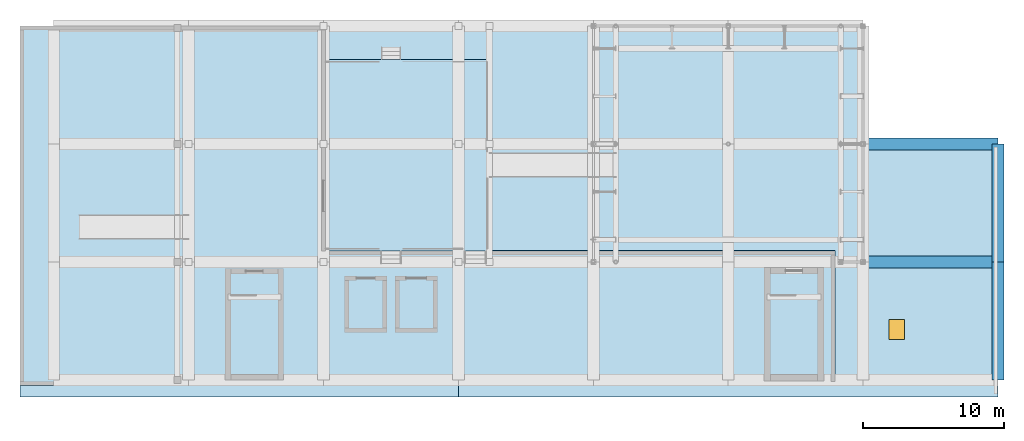
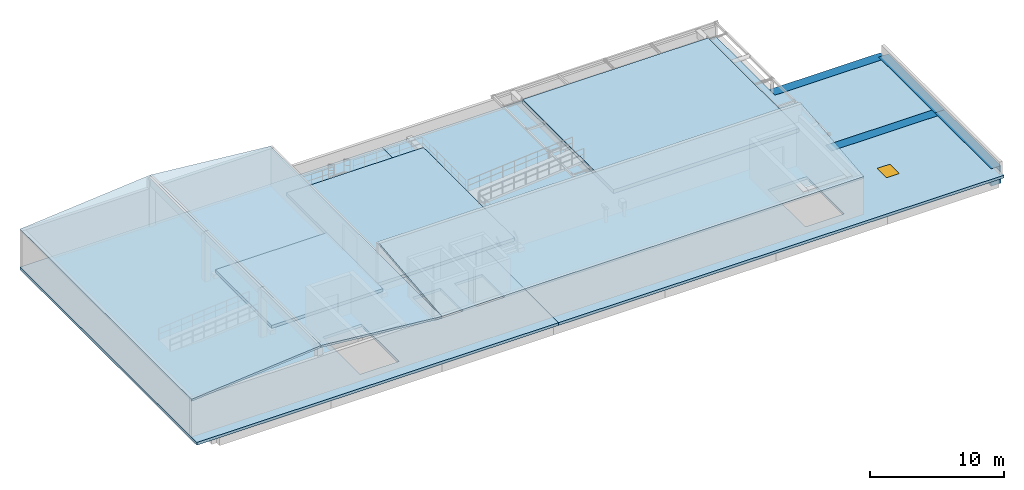
# One storey, part 4 of 8: 8 slabs, 4 beams, 1 door, 1 opening, 1 element without a shape of its own.
"""IFC4 building model written with IfcOpenShell, lengths in metres."""

from ifc_helpers import new_model, si_unit, direction, frame, origin, origin_2d, place, context, subcontext, project, spatial, polyline, rectangle, outline, extrude, material, layer, layer_set, material_profile, profile_set, type_object, element, fill, aggregate, save


model = new_model("IFC4")

# Units and contexts
model_context = context("Model", 3, precision=1e-05, world=origin(), true_north=direction((0.0, 1.0)))
body_context = subcontext(model_context, "Body", "Model", "MODEL_VIEW")
ifc_project = project(units=[si_unit("LENGTHUNIT", "METRE"), si_unit("AREAUNIT", "SQUARE_METRE"), si_unit("VOLUMEUNIT", "CUBIC_METRE"), si_unit("PLANEANGLEUNIT", "RADIAN"), si_unit("MASSUNIT", "GRAM", prefix="KILO")], contexts=[model_context])

# Site, building, storey
site_placement = place(None, origin())
site = spatial("IfcSite", under=ifc_project, at=site_placement, CompositionType="ELEMENT")
building_placement = place(site_placement, origin())
building = spatial("IfcBuilding", under=site, at=building_placement, Name="Oolite Switchyard Hospital", CompositionType="ELEMENT")
storey_placement = place(building_placement, frame((0.0, 0.0, 34.60009765625)))
storey = spatial("IfcBuildingStorey", under=building, at=storey_placement, Name="RF", CompositionType="ELEMENT", Elevation=34.60009765625)

# Beams
ifc_material_1 = material(Name="Concrete C40/50", Category="concrete")
ifc_material_profile = material_profile(ifc_material_1, rectangle(XDim=0.85009765625, YDim=1.60009765625, at=origin_2d()), Name="RCT850X1600")
ifc_profile_set = profile_set([ifc_material_profile], Name="Concrete C40/50")
beam_type = type_object("IfcBeamType", Name="BM-TR850X1600", PredefinedType="BEAM", material=ifc_profile_set)
for number, where, z_axis, x_axis, name in (
    (1, (201.60009765625, 117.60009765625, -0.800048828125), (1.0, 0.0, 0.0), (0.0, 1.0, 0.0), "RF X-Girder 3953"),
    (2, (201.60009765625, 126.0, -0.800048828125), (1.0, 0.0, 0.0), (0.0, 1.0, 0.0), "RF X-Girder 3960"),
):
    element("IfcBeam", number, at=place(storey_placement, frame(where, z_axis=z_axis, x_axis=x_axis)), inside=storey, type_object=beam_type, Name=name, PredefinedType="BEAM", context=body_context, shape_type="SweptSolid", body=[
        extrude(rectangle(XDim=0.85009765625, YDim=1.60009765625, at=origin_2d()), origin(), (0.0, 0.0, 1.0), 9.599853515625),
    ])
beam_1_placement = place(storey_placement, frame((211.199951171875, 109.199951171875, -0.800048828125), z_axis=(0.0, 1.0, 0.0), x_axis=(-1.0, 0.0, 0.0)))
element("IfcBeam", 3, at=beam_1_placement, inside=storey, type_object=beam_type, Name="RF Y-Girder 3988", PredefinedType="BEAM", context=body_context, shape_type="SweptSolid", body=[
    extrude(rectangle(XDim=0.85009765625, YDim=1.60009765625, at=origin_2d()), origin(), (0.0, 0.0, 1.0), 8.400146484375),
])
beam_2_placement = place(storey_placement, frame((211.199951171875, 117.60009765625, -0.800048828125), z_axis=(0.0, 1.0, 0.0), x_axis=(-1.0, 0.0, 0.0)))
element("IfcBeam", 4, at=beam_2_placement, inside=storey, type_object=beam_type, Name="RF Y-Girder 3989", PredefinedType="BEAM", context=body_context, shape_type="SweptSolid", body=[
    extrude(rectangle(XDim=0.85009765625, YDim=1.60009765625, at=origin_2d()), origin(), (0.0, 0.0, 1.0), 8.39990234375),
])

# Roof, slab
roof_type = type_object("IfcRoofType", Name="ROOF-FLAT", PredefinedType="FLAT_ROOF", material=ifc_material_1)
roof_placement = place(storey_placement, origin())
roof = element("IfcRoof", 5, at=roof_placement, inside=storey, type_object=roof_type, Name="RF Flat Cool Roof Assembly", PredefinedType="FLAT_ROOF")
ifc_layer_1 = layer(ifc_material_1, 0.280029296875)
ifc_layer_set_1 = layer_set([ifc_layer_1], Name="SLB-APRON-280")
slab_type_1 = type_object("IfcSlabType", Name="SLB-APRON-280", PredefinedType="ROOF", material=ifc_layer_set_1)
slab_1_placement = place(storey_placement, frame((0.0, 0.0, 0.369873046875)))
slab_1 = element("IfcSlab", 6, at=slab_1_placement, type_object=slab_type_1, Name="RF Helipad Staging Apron Slab", PredefinedType="ROOF", context=body_context, shape_type="SweptSolid", body=[
    extrude(outline(polyline([(163.199951171875, 118.39990234375), (175.0, 118.39990234375), (175.0, 132.0), (163.199951171875, 132.0), (163.199951171875, 118.39990234375)])), origin(), (0.0, 0.0, 1.0), 0.280029296875),
])

# Slab
slab_2_placement = place(storey_placement, frame((0.0, 0.0, 0.369873046875)))
element("IfcSlab", 7, at=slab_2_placement, inside=storey, type_object=slab_type_1, Name="RF Trauma Vestibule Raised Platform Slab", PredefinedType="ROOF", context=body_context, shape_type="SweptSolid", body=[
    extrude(outline(polyline([(153.60009765625, 117.60009765625), (163.199951171875, 117.60009765625), (163.199951171875, 126.0), (153.60009765625, 126.0), (153.60009765625, 117.60009765625)])), origin(), (0.0, 0.0, 1.0), 0.280029296875),
])

ifc_layer_2 = layer(ifc_material_1, 0.199951171875)
ifc_layer_set_2 = layer_set([ifc_layer_2], Name="SLB-FOLD-200")
slab_type_2 = type_object("IfcSlabType", Name="SLB-FOLD-200", PredefinedType="ROOF", material=ifc_layer_set_2)
slab_3_placement = place(storey_placement, frame((141.60009765625, 108.800048828125, 3.449951171875), z_axis=(-0.088932322622, 0.0, 0.996037670971), x_axis=(0.996037670971, 0.0, 0.088932322622)))
slab_3 = element("IfcSlab", 8, at=slab_3_placement, type_object=slab_type_2, Name="RF Headhouse HH1 West Gable Roof Shell", PredefinedType="ROOF", context=body_context, shape_type="SweptSolid", body=[
    extrude(outline(polyline([(0.0, 0.0), (11.244505602843738, 0.0), (11.244505602843738, 25.599853515625007), (0.0, 25.599853515625007), (0.0, 0.0)])), origin(), (0.0, 0.0, -1.0), 0.199951171875),
])

slab_4_placement = place(storey_placement, frame((152.800048828125, 108.800048828125, 4.449951171875), z_axis=(0.095713297161, 0.0, 0.995408943473), x_axis=(0.995408943473, 0.0, -0.095713297161)))
slab_4 = element("IfcSlab", 9, at=slab_4_placement, type_object=slab_type_2, Name="RF Headhouse HH1 East Gable Roof Shell", PredefinedType="ROOF", context=body_context, shape_type="SweptSolid", body=[
    extrude(outline(polyline([(0.0, 0.0), (10.447869101378364, 0.0), (10.447869101378364, 25.599853515625), (0.0, 25.599853515625), (0.0, 0.0)])), origin(), (0.0, 0.0, -1.0), 0.199951171875),
])

slab_5_placement = place(storey_placement, frame((163.199951171875, 108.800048828125, 3.449951171875), z_axis=(0.0, -0.103607648217, 0.994618245977), x_axis=(1.0, 0.0, 0.0)))
slab_5 = element("IfcSlab", 10, at=slab_5_placement, type_object=slab_type_2, Name="RF Headhouse HH2 Sloped Roof Shell", PredefinedType="ROOF", context=body_context, shape_type="SweptSolid", body=[
    extrude(outline(polyline([(0.0, 0.0), (36.400146484375, 0.0), (36.400146484375, 9.651797113566865), (0.0, 9.651797113566865), (0.0, 0.0)])), origin(), (0.0, 0.0, -1.0), 0.199951171875),
])

ifc_layer_3 = layer(ifc_material_1, 0.340087890625)
ifc_layer_set_3 = layer_set([ifc_layer_3], Name="SLB-HELI-340")
slab_type_3 = type_object("IfcSlabType", Name="SLB-HELI-340", PredefinedType="ROOF", material=ifc_layer_set_3)
slab_6_placement = place(storey_placement, frame((0.0, 0.0, 1.059814453125)))
slab_6 = element("IfcSlab", 11, at=slab_6_placement, type_object=slab_type_3, Name="RF Helipad TLOF Impact Pad Slab", PredefinedType="ROOF", context=body_context, shape_type="SweptSolid", body=[
    extrude(outline(polyline([(184.0, 119.199951171875), (200.0, 119.199951171875), (200.0, 132.800048828125), (184.0, 132.800048828125), (184.0, 119.199951171875)])), origin(), (0.0, 0.0, 1.0), 0.340087890625),
])

ifc_layer_4 = layer(ifc_material_1, 0.25)
ifc_layer_set_4 = layer_set([ifc_layer_4], Name="SLB-ROOF-250")
slab_type_4 = type_object("IfcSlabType", Name="SLB-ROOF-250", PredefinedType="ROOF", material=ifc_layer_set_4)
slab_7_placement = place(storey_placement, frame((0.0, 0.0, -0.25)))
slab_7 = element("IfcSlab", 12, at=slab_7_placement, type_object=slab_type_4, Name="RF V5E Slab V5ER1", PredefinedType="ROOF", context=body_context, shape_type="SweptSolid", body=[
    extrude(outline(polyline([(141.60009765625, 108.0), (172.800048828125, 108.0), (172.800048828125, 134.39990234375), (141.60009765625, 134.39990234375), (141.60009765625, 108.0)]), holes=[polyline([(156.60009765625, 115.18994140625), (156.60009765625, 109.60009765625), (159.9599609375, 109.60009765625), (159.9599609375, 115.18994140625), (156.60009765625, 115.18994140625)]), polyline([(165.0, 112.89990234375), (167.39990234375, 112.89990234375), (167.39990234375, 116.300048828125), (165.0, 116.300048828125), (165.0, 112.89990234375)]), polyline([(168.60009765625, 112.89990234375), (171.0, 112.89990234375), (171.0, 116.300048828125), (168.60009765625, 116.300048828125), (168.60009765625, 112.89990234375)])]), origin(), (0.0, 0.0, 1.0), 0.25),
])

# Slab, opening, door
slab_8_placement = place(storey_placement, frame((0.0, 0.0, -0.25)))
slab_8 = element("IfcSlab", 13, at=slab_8_placement, type_object=slab_type_4, Name="RF V5E Slab V5ER2", PredefinedType="ROOF", context=body_context, shape_type="SweptSolid", body=[
    extrude(outline(polyline([(172.800048828125, 108.0), (211.199951171875, 108.0), (211.199951171875, 126.0), (201.60009765625, 126.0), (201.60009765625, 134.39990234375), (172.800048828125, 134.39990234375), (172.800048828125, 108.0)]), holes=[polyline([(195.0, 115.18994140625), (195.0, 109.60009765625), (198.360107421875, 109.60009765625), (198.360107421875, 115.18994140625), (195.0, 115.18994140625)])]), origin(), (0.0, 0.0, 1.0), 0.25),
])
opening_placement = place(slab_8_placement, frame((204.0, 112.800048828125, 0.0)))
opening = element("IfcOpeningElement", 14, at=opening_placement, cuts=slab_8, Name="Opening HTD-06", PredefinedType="OPENING", context=body_context, shape_type="SweptSolid", body=[
    extrude(rectangle(XDim=1.10009765625, YDim=1.39990234375, at=origin_2d()), frame((0.0, 0.0, -0.010009765625), z_axis=(0.0, 0.0, 1.0), x_axis=(1.0, 0.0, 0.0)), (0.0, 0.0, 1.0), 0.27001953125),
])
ifc_material_2 = material(Name="Insulated marine-grade aluminum roof access hatch", Category="aluminium")
door_type = type_object("IfcDoorType", Name="HT-RF-110X140", OperationType="NOTDEFINED", PredefinedType="TRAPDOOR", material=ifc_material_2)
door_placement = place(opening_placement, frame((0.0, 0.0, 0.199951171875)))
door = element("IfcDoor", 15, at=door_placement, inside=storey, type_object=door_type, Name="RF Maintenance Roof Access Hatch HTD-06", OperationType="SINGLE_SWING_LEFT", OverallHeight=1.39990234375, OverallWidth=1.10009765625, PredefinedType="TRAPDOOR", context=body_context, shape_type="SweptSolid", body=[
    extrude(rectangle(XDim=1.10009765625, YDim=1.39990234375, at=origin_2d()), origin(), (0.0, 0.0, 1.0), 0.050048828125),
])
fill(opening, door)

aggregate(roof, [slab_7, slab_8, slab_1, slab_6, slab_3, slab_4, slab_5])

save(model, "model.ifc")
